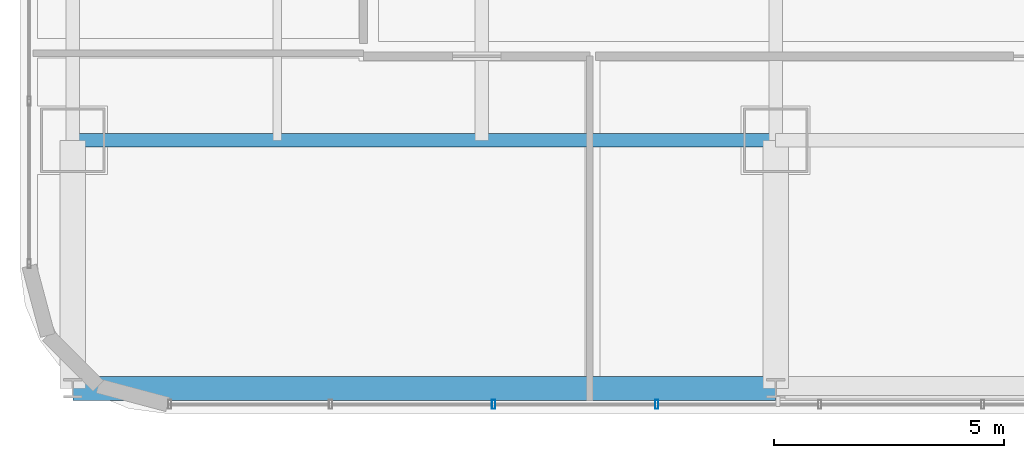
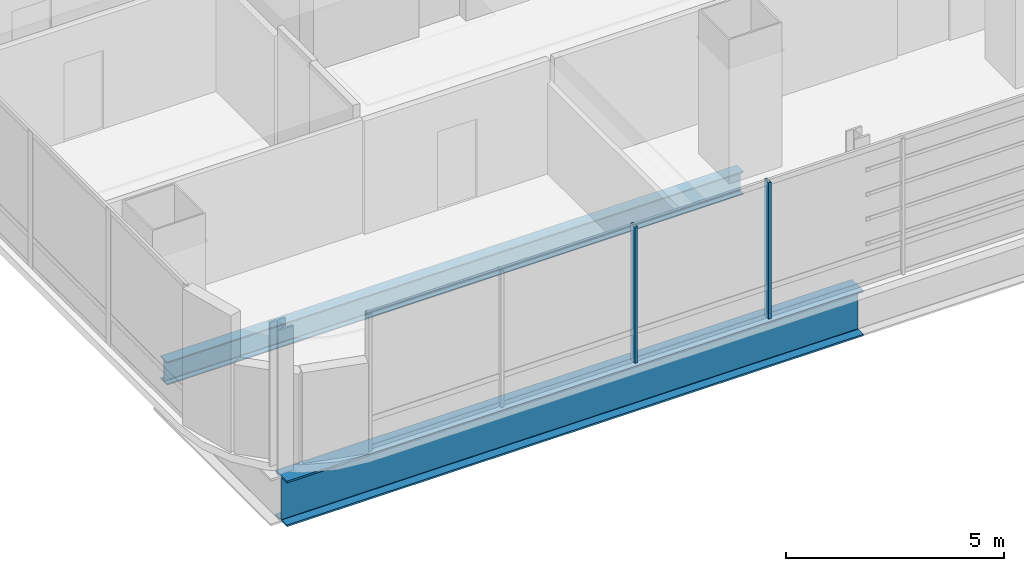
# One storey, part 3 of 37: 2 beams, 2 members, 1 element without a shape of its own.
"""IFC4 building model written with IfcOpenShell, lengths in metres."""

from ifc_helpers import new_model, si_unit, direction, frame, origin, origin_2d, place, context, subcontext, project, spatial, hollow_rectangle, i_section, extrude, material, material_profile, profile_set, type_object, element, aggregate, save


model = new_model("IFC4")

# Units and contexts
model_context = context("Model", 3, precision=1e-05, world=origin(), true_north=direction((0.0, 1.0)))
body_context = subcontext(model_context, "Body", "Model", "MODEL_VIEW")
ifc_project = project(units=[si_unit("LENGTHUNIT", "METRE"), si_unit("AREAUNIT", "SQUARE_METRE"), si_unit("VOLUMEUNIT", "CUBIC_METRE"), si_unit("PLANEANGLEUNIT", "RADIAN"), si_unit("MASSUNIT", "GRAM", prefix="KILO")], contexts=[model_context])

# Site, building, storey
site_placement = place(None, origin())
site = spatial("IfcSite", under=ifc_project, at=site_placement, CompositionType="ELEMENT")
building_placement = place(site_placement, origin())
building = spatial("IfcBuilding", under=site, at=building_placement, Name="Punatoya Terracotta Tower", CompositionType="ELEMENT")
storey_placement = place(building_placement, frame((0.0, 0.0, 224.85009765625)))
storey = spatial("IfcBuildingStorey", under=building, at=storey_placement, Name="L53", CompositionType="ELEMENT", Elevation=224.85009765625)

# Beams
ifc_material_1 = material(Name="Steel S355", Category="steel")
ifc_material_profile_1 = material_profile(ifc_material_1, i_section(OverallWidth=0.300048828125, OverallDepth=0.64990234375, WebThickness=0.01611328125, FlangeThickness=0.031005859375, FilletRadius=0.01806640625, at=origin_2d()))
ifc_profile_set_1 = profile_set([ifc_material_profile_1], Name="Steel S355")
beam_type_1 = type_object("IfcBeamType", Name="BM-PRI-650", PredefinedType="BEAM", material=ifc_profile_set_1)
beam_1_placement = place(storey_placement, frame((-19.10009765625, -17.5, -0.545166015625), z_axis=(1.0, 0.0, 0.0), x_axis=(0.0, 1.0, 0.0)))
element("IfcBeam", 1, at=beam_1_placement, inside=storey, type_object=beam_type_1, Name="BM-L53-RG-S1", PredefinedType="BEAM", context=body_context, shape_type="SweptSolid", body=[
    extrude(i_section(OverallWidth=0.300048828125, OverallDepth=0.64990234375, WebThickness=0.01611328125, FlangeThickness=0.031005859375, FilletRadius=0.01806640625, at=origin_2d()), origin(), (0.0, 0.0, 1.0), 15.300048828125),
])
ifc_material_2 = material(Name="Steel S460", Category="steel")
ifc_material_profile_2 = material_profile(ifc_material_2, i_section(OverallWidth=0.52001953125, OverallDepth=1.280029296875, WebThickness=0.031982421875, FlangeThickness=0.050048828125, FilletRadius=0.01806640625, at=origin_2d()))
ifc_profile_set_2 = profile_set([ifc_material_profile_2], Name="Steel S460")
beam_type_2 = type_object("IfcBeamType", Name="BM-TG-NCK", PredefinedType="BEAM", material=ifc_profile_set_2)
beam_2_placement = place(storey_placement, frame((-19.10009765625, -22.89990234375, -0.860107421875), z_axis=(1.0, 0.0, 0.0), x_axis=(0.0, 1.0, 0.0)))
element("IfcBeam", 2, at=beam_2_placement, inside=storey, type_object=beam_type_2, Name="BM-L53-PER-S1", PredefinedType="BEAM", context=body_context, shape_type="SweptSolid", body=[
    extrude(i_section(OverallWidth=0.52001953125, OverallDepth=1.280029296875, WebThickness=0.031982421875, FlangeThickness=0.050048828125, FilletRadius=0.01806640625, at=origin_2d()), origin(), (0.0, 0.0, 1.0), 15.300048828125),
])

# Curtain wall, members
ifc_material_3 = material(Name="Aluminium 6063-T6 + Double Low-E Glass", Category="aluminium")
curtain_wall_type = type_object("IfcCurtainWallType", Name="CW-M2", PredefinedType="NOTDEFINED", material=ifc_material_3)
curtain_wall_placement = place(storey_placement, origin())
curtain_wall = element("IfcCurtainWall", 3, at=curtain_wall_placement, inside=storey, type_object=curtain_wall_type, Name="L53 Curtain Wall CW-L53-S01-1", PredefinedType="NOTDEFINED")
ifc_material_4 = material(Name="Aluminium 6063-T6", Category="aluminium")
ifc_material_profile_3 = material_profile(ifc_material_4, hollow_rectangle(XDim=0.072021484375, YDim=0.195068359375, WallThickness=0.00439453125, at=origin_2d()))
ifc_profile_set_3 = profile_set([ifc_material_profile_3], Name="Aluminium 6063-T6")
member_type = type_object("IfcMemberType", Name="CW-MUL-M2", PredefinedType="MULLION", material=ifc_profile_set_3)
member_1_placement = place(storey_placement, frame((-9.939453125, -23.25, 0.0), z_axis=(0.0, 0.0, 1.0), x_axis=(1.0, 0.0, 0.0)))
member_1 = element("IfcMember", 4, at=member_1_placement, type_object=member_type, Name="CW-L53-S01-1 Mullion 02", PredefinedType="MULLION", context=body_context, shape_type="SweptSolid", body=[
    extrude(hollow_rectangle(XDim=0.072021484375, YDim=0.195068359375, WallThickness=0.00439453125, at=origin_2d()), origin(), (0.0, 0.0, 1.0), 3.829833984375),
])
member_2_placement = place(storey_placement, frame((-6.390869140625, -23.25, 0.0), z_axis=(0.0, 0.0, 1.0), x_axis=(1.0, 0.0, 0.0)))
member_2 = element("IfcMember", 5, at=member_2_placement, type_object=member_type, Name="CW-L53-S01-1 Mullion 03", PredefinedType="MULLION", context=body_context, shape_type="SweptSolid", body=[
    extrude(hollow_rectangle(XDim=0.072021484375, YDim=0.195068359375, WallThickness=0.00439453125, at=origin_2d()), origin(), (0.0, 0.0, 1.0), 3.829833984375),
])
aggregate(curtain_wall, [member_1, member_2])

save(model, "model.ifc")
